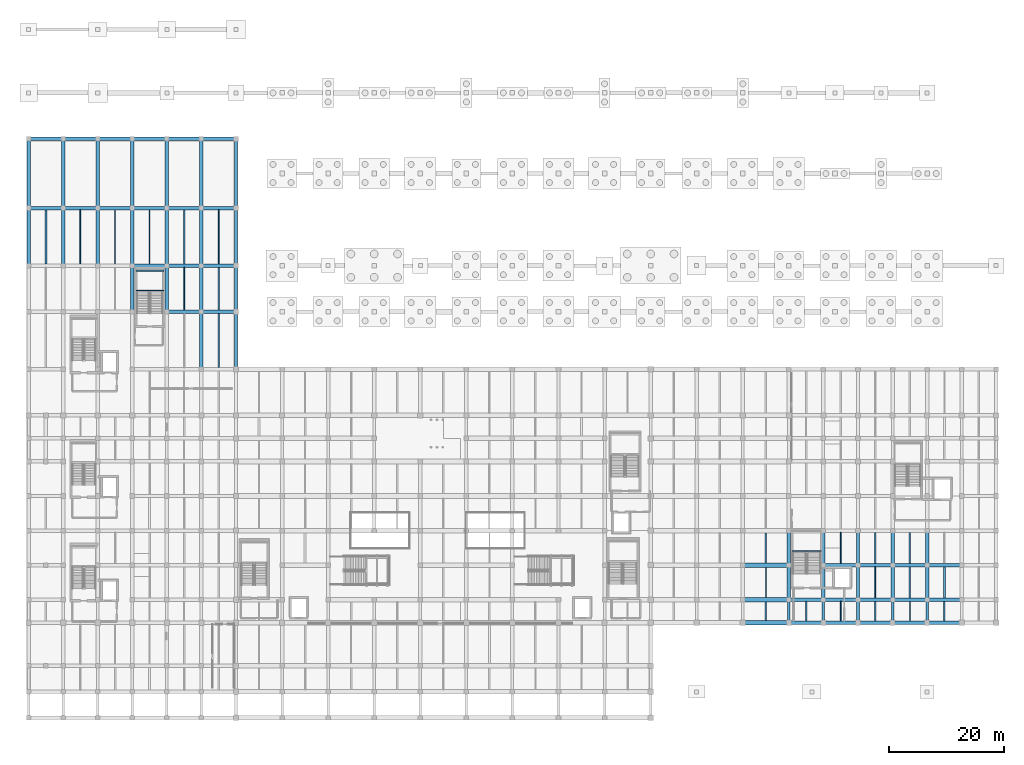
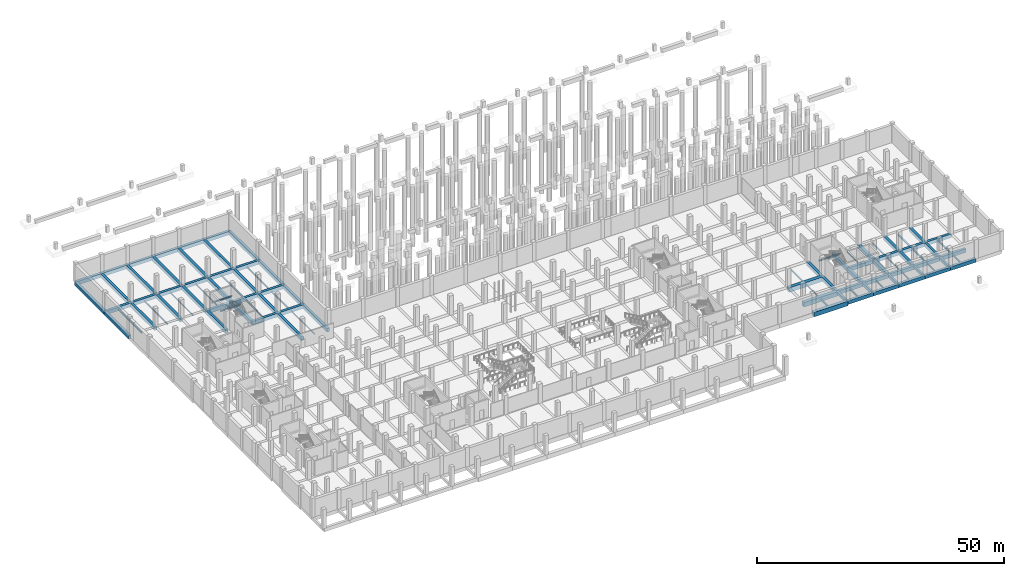
# One storey, part 16 of 36: 95 beams.
"""IFC4 building model written with IfcOpenShell, lengths in metres."""

import ifcopenshell
import ifcopenshell.guid

model = None  # the IFC model being written
_history = None  # IfcOwnerHistory: only IFC2X3 demands one
_inside = {}  # id of a spatial element -> (the spatial element, [elements in it])
_under = {}  # id of a project, library or spatial element -> (it, [spatial elements below it])
_declared = {}  # id of a project -> (the project, [libraries it declares])
_typed = {}  # id of a type object -> (the type object, [elements of that type])
_made_of = {}  # id of a material, layer set ... -> (it, [elements and type objects made of it])


def new_model(schema):
    """Start an empty IFC model of exactly this schema.

    Asked for "IFC4X3", IfcOpenShell would pick the latest addendum, in which some entities
    have other attributes; the version numbers below select the first issue.
    IFC2X3 requires an IfcOwnerHistory on every rooted entity: one is made here for all.
    """
    global model, _history
    if schema == "IFC4X3":
        model = ifcopenshell.file(schema_version=(4, 3, 0, 0))
    else:
        model = ifcopenshell.file(schema=schema)
    _inside.clear()
    _under.clear()
    _declared.clear()
    _typed.clear()
    _made_of.clear()
    _history = None
    if model.schema == "IFC2X3":
        org = make("IfcOrganization", Name="unknown")
        user = make(
            "IfcPersonAndOrganization",
            ThePerson=make("IfcPerson", FamilyName="unknown"),
            TheOrganization=org,
        )
        app = make(
            "IfcApplication",
            ApplicationDeveloper=org,
            Version="unknown",
            ApplicationFullName="unknown",
            ApplicationIdentifier="unknown",
        )
        _history = make(
            "IfcOwnerHistory",
            OwningUser=user,
            OwningApplication=app,
            ChangeAction="ADDED",
            CreationDate=0,
        )
    return model


def make(cls, **values):
    """One entity of the class cls with the attributes given. An attribute that is None is left unset."""
    return model.create_entity(
        cls, **{name: value for name, value in values.items() if value is not None}
    )


def rooted(cls, **values):
    """An entity with a GlobalId (a new one), such as an element, a storey or a relation."""
    return make(cls, GlobalId=ifcopenshell.guid.new(), OwnerHistory=_history, **values)


def si_unit(unit_type, name, prefix=None):
    """IfcSIUnit, for example si_unit("LENGTHUNIT", "METRE", prefix="MILLI")."""
    return make("IfcSIUnit", UnitType=unit_type, Prefix=prefix, Name=name)


def assignment(units):
    """IfcUnitAssignment: the units of a project."""
    return None if units is None else make("IfcUnitAssignment", Units=units)


def point(xyz):
    """IfcCartesianPoint."""
    return None if xyz is None else make("IfcCartesianPoint", Coordinates=xyz)


def direction(xyz):
    """IfcDirection."""
    return None if xyz is None else make("IfcDirection", DirectionRatios=xyz)


def frame(location, z_axis=None, x_axis=None):
    """IfcAxis2Placement3D, a coordinate frame: its origin and axes. An axis left out is left unset."""
    return make(
        "IfcAxis2Placement3D",
        Location=point(location),
        Axis=direction(z_axis),
        RefDirection=direction(x_axis),
    )


def frame_2d(location, x_axis=None):
    """IfcAxis2Placement2D, a coordinate frame in the plane: its origin and x axis."""
    return make(
        "IfcAxis2Placement2D", Location=point(location), RefDirection=direction(x_axis)
    )


def origin():
    """The frame at (0, 0, 0) with its axes left unset."""
    return frame((0.0, 0.0, 0.0))


def origin_2d():
    """The frame at (0, 0) in the plane with its x axis left unset."""
    return frame_2d((0.0, 0.0))


def place(relative_to, where):
    """IfcLocalPlacement: puts the frame where relative to a parent placement (None: the world)."""
    return make(
        "IfcLocalPlacement", PlacementRelTo=relative_to, RelativePlacement=where
    )


def context(
    kind, dimensions, precision=None, world=None, true_north=None, identifier=None
):
    """IfcGeometricRepresentationContext, for example the 3D "Model" context."""
    return make(
        "IfcGeometricRepresentationContext",
        ContextIdentifier=identifier,
        ContextType=kind,
        CoordinateSpaceDimension=dimensions,
        Precision=precision,
        WorldCoordinateSystem=world,
        TrueNorth=true_north,
    )


def subcontext(parent, identifier, kind, view, scale=None):
    """IfcGeometricRepresentationSubContext, for example "Body" below "Model"."""
    return make(
        "IfcGeometricRepresentationSubContext",
        ContextIdentifier=identifier,
        ContextType=kind,
        ParentContext=parent,
        TargetScale=scale,
        TargetView=view,
    )


def project(units=None, contexts=None):
    """IfcProject with its units and contexts."""
    return rooted(
        "IfcProject",
        Name="project",
        RepresentationContexts=contexts,
        UnitsInContext=assignment(units),
    )


def spatial(cls, under=None, at=None, **own):
    """A site, building, storey or space (cls), placed at a placement, below another one or the project."""
    s = rooted(cls, ObjectPlacement=at, **own)
    if under is not None:
        _under.setdefault(under.id(), (under, []))[1].append(s)
    return s


def profile(cls, at=None, kind="AREA", **sizes):
    """A parametric profile (cls). Its sizes go by their IFC names, for example OverallWidth=200.0."""
    return make(cls, ProfileType=kind, Position=at, **sizes)


def rectangle(**sizes):
    """IfcRectangleProfileDef."""
    return profile("IfcRectangleProfileDef", **sizes)


def i_section(**sizes):
    """IfcIShapeProfileDef."""
    return profile("IfcIShapeProfileDef", **sizes)


def extrude(swept, where, along, depth):
    """IfcExtrudedAreaSolid: the profile swept, set in the frame where, extruded along a direction by depth."""
    return make(
        "IfcExtrudedAreaSolid",
        SweptArea=swept,
        Position=where,
        ExtrudedDirection=direction(along),
        Depth=depth,
    )


def shape(context_of_items, identifier, shape_type, items):
    """IfcShapeRepresentation: the items that make up one representation, for example the "Body"."""
    return make(
        "IfcShapeRepresentation",
        ContextOfItems=context_of_items,
        RepresentationIdentifier=identifier,
        RepresentationType=shape_type,
        Items=items,
    )


def material(Name=None, Category=None):
    """IfcMaterial."""
    return make("IfcMaterial", Name=Name, Category=Category)


def material_profile(
    of_material, cross_section, Name=None, Category=None, Priority=None
):
    """IfcMaterialProfile: a cross section and its material."""
    return make(
        "IfcMaterialProfile",
        Name=Name,
        Material=of_material,
        Profile=cross_section,
        Priority=Priority,
        Category=Category,
    )


def profile_set(profiles, Name=None, composite=None):
    """IfcMaterialProfileSet."""
    return make(
        "IfcMaterialProfileSet",
        Name=Name,
        MaterialProfiles=profiles,
        CompositeProfile=composite,
    )


def made_of(thing, what):
    """Note that an element or type object is made of a material, layer set ...; save() writes the relation."""
    if what is not None:
        _made_of.setdefault(what.id(), (what, []))[1].append(thing)
    return thing


def type_object(cls, material=None, **own):
    """A type object (cls), such as IfcWallType, which elements share."""
    return made_of(rooted(cls, **own), material)


def element(
    cls,
    number,
    at=None,
    inside=None,
    cuts=None,
    type_object=None,
    material=None,
    context=None,
    identifier="Body",
    shape_type=None,
    held_by="IfcProductDefinitionShape",
    body=None,
    shapes=None,
    **own,
):
    """One element of the class cls, such as IfcWall. Its Tag is "e" and its number.

    at: its placement. inside: the storey or other place that contains it. cuts: it is an
    opening in that element (IfcRelVoidsElement). A single representation is given by context,
    identifier, shape_type and body (its items); several are given by shapes. held_by: the class
    of the entity that holds the representations. save() writes the other relations.
    """
    e = rooted(cls, Tag="e%d" % number, ObjectPlacement=at, **own)
    if body is not None:
        shapes = [shape(context, identifier, shape_type, body)]
    if shapes is not None:
        e.Representation = make(held_by, Representations=shapes)
    if inside is not None:
        _inside.setdefault(inside.id(), (inside, []))[1].append(e)
    if cuts is not None:
        rooted(
            "IfcRelVoidsElement", RelatingBuildingElement=cuts, RelatedOpeningElement=e
        )
    if type_object is not None:
        _typed.setdefault(type_object.id(), (type_object, []))[1].append(e)
    return made_of(e, material)


def aggregate(whole, parts):
    """IfcRelAggregates: a whole, such as a stair, and the parts it consists of."""
    return rooted("IfcRelAggregates", RelatingObject=whole, RelatedObjects=parts)


def save(model, path):
    """Write the relations noted so far, then the file.

    IfcRelAggregates (storeys below a building ...), IfcRelContainedInSpatialStructure (elements
    in a storey), IfcRelDefinesByType, IfcRelAssociatesMaterial and IfcRelDeclares: one each for
    every whole, place, type object, material and project.
    """
    for whole, parts in _under.values():
        aggregate(whole, parts)
    for where, things in _inside.values():
        rooted(
            "IfcRelContainedInSpatialStructure",
            RelatedElements=things,
            RelatingStructure=where,
        )
    for kind, things in _typed.values():
        rooted("IfcRelDefinesByType", RelatedObjects=things, RelatingType=kind)
    for what, things in _made_of.values():
        rooted("IfcRelAssociatesMaterial", RelatedObjects=things, RelatingMaterial=what)
    for by, libraries in _declared.values():
        rooted("IfcRelDeclares", RelatingContext=by, RelatedDefinitions=libraries)
    model.write(path)


model = new_model("IFC4")

# Units and contexts
model_context = context("Model", 3, precision=1e-05, world=origin(), true_north=direction((0.0, 1.0)))
body_context = subcontext(model_context, "Body", "Model", "MODEL_VIEW")
ifc_project = project(units=[si_unit("LENGTHUNIT", "METRE"), si_unit("AREAUNIT", "SQUARE_METRE"), si_unit("VOLUMEUNIT", "CUBIC_METRE"), si_unit("PLANEANGLEUNIT", "RADIAN"), si_unit("MASSUNIT", "GRAM", prefix="KILO")], contexts=[model_context])

# Site, building, storey
site_placement = place(None, origin())
site = spatial("IfcSite", under=ifc_project, at=site_placement, CompositionType="ELEMENT")
building_placement = place(site_placement, origin())
building = spatial("IfcBuilding", under=site, at=building_placement, Name="Verrall Gate Interchange", CompositionType="ELEMENT")
storey_placement = place(building_placement, frame((0.0, 0.0, -4.800048828125)))
storey = spatial("IfcBuildingStorey", under=building, at=storey_placement, Name="B1", CompositionType="ELEMENT", Elevation=-4.800048828125)

# Beams
ifc_material_1 = material(Name="Concrete CSA A23.1 35 MPa (Class S-2)", Category="concrete")
ifc_material_profile_1 = material_profile(ifc_material_1, rectangle(XDim=0.800048828125, YDim=1.10009765625, at=origin_2d()), Name="RC800x1100")
ifc_profile_set_1 = profile_set([ifc_material_profile_1], Name="Concrete CSA A23.1 35 MPa (Class S-2)")
beam_type_1 = type_object("IfcBeamType", Name="B-01 Structural Beam RC800x1100", PredefinedType="BEAM", material=ifc_profile_set_1)
for number, where, z_axis, x_axis, name in (
    (1, (124.0, 12.0, -0.550048828125), (1.0, 0.0, 0.0), (0.0, 1.0, 0.0), "B1 Girder BM-B1-0064 (B-01)"),
    (2, (124.0, 16.0, -0.550048828125), (1.0, 0.0, 0.0), (0.0, 1.0, 0.0), "B1 Girder BM-B1-0084 (B-01)"),
    (3, (124.0, 22.0, -0.550048828125), (1.0, 0.0, 0.0), (0.0, 1.0, 0.0), "B1 Girder BM-B1-0102 (B-01)"),
):
    element("IfcBeam", number, at=place(storey_placement, frame(where, z_axis=z_axis, x_axis=x_axis)), inside=storey, type_object=beam_type_1, Name=name, PredefinedType="BEAM", context=body_context, shape_type="SweptSolid", body=[
        extrude(rectangle(XDim=0.800048828125, YDim=1.10009765625, at=origin_2d()), origin(), (0.0, 0.0, 1.0), 8.0),
    ])
ifc_material_2 = material(Name="Concrete CSA A23.1 40 MPa (Class N)", Category="concrete")
ifc_material_profile_2 = material_profile(ifc_material_2, rectangle(XDim=0.60009765625, YDim=0.89990234375, at=origin_2d()), Name="RC600x900")
ifc_profile_set_2 = profile_set([ifc_material_profile_2], Name="Concrete CSA A23.1 40 MPa (Class N)")
beam_type_2 = type_object("IfcBeamType", Name="B-02 Structural Beam RC600x900", PredefinedType="BEAM", material=ifc_profile_set_2)
for number, where, z_axis, x_axis, name in (
    (4, (132.0, 12.0, -0.449951171875), (1.0, 0.0, 0.0), (0.0, 1.0, 0.0), "B1 Girder BM-B1-0065 (B-02)"),
    (5, (138.0, 12.0, -0.449951171875), (1.0, 0.0, 0.0), (0.0, 1.0, 0.0), "B1 Girder BM-B1-0066 (B-02)"),
    (6, (144.0, 12.0, -0.449951171875), (1.0, 0.0, 0.0), (0.0, 1.0, 0.0), "B1 Girder BM-B1-0067 (B-02)"),
    (7, (150.0, 12.0, -0.449951171875), (1.0, 0.0, 0.0), (0.0, 1.0, 0.0), "B1 Girder BM-B1-0068 (B-02)"),
    (8, (156.0, 12.0, -0.449951171875), (1.0, 0.0, 0.0), (0.0, 1.0, 0.0), "B1 Girder BM-B1-0069 (B-02)"),
    (9, (132.0, 16.0, -0.449951171875), (1.0, 0.0, 0.0), (0.0, 1.0, 0.0), "B1 Girder BM-B1-0085 (B-02)"),
    (10, (138.0, 16.0, -0.449951171875), (1.0, 0.0, 0.0), (0.0, 1.0, 0.0), "B1 Girder BM-B1-0086 (B-02)"),
    (11, (144.0, 16.0, -0.449951171875), (1.0, 0.0, 0.0), (0.0, 1.0, 0.0), "B1 Girder BM-B1-0087 (B-02)"),
    (12, (150.0, 16.0, -0.449951171875), (1.0, 0.0, 0.0), (0.0, 1.0, 0.0), "B1 Girder BM-B1-0088 (B-02)"),
    (13, (156.0, 16.0, -0.449951171875), (1.0, 0.0, 0.0), (0.0, 1.0, 0.0), "B1 Girder BM-B1-0089 (B-02)"),
    (14, (138.0, 22.0, -0.449951171875), (1.0, 0.0, 0.0), (0.0, 1.0, 0.0), "B1 Girder BM-B1-0103 (B-02)"),
    (15, (144.0, 22.0, -0.449951171875), (1.0, 0.0, 0.0), (0.0, 1.0, 0.0), "B1 Girder BM-B1-0104 (B-02)"),
    (16, (150.0, 22.0, -0.449951171875), (1.0, 0.0, 0.0), (0.0, 1.0, 0.0), "B1 Girder BM-B1-0105 (B-02)"),
    (17, (156.0, 22.0, -0.449951171875), (1.0, 0.0, 0.0), (0.0, 1.0, 0.0), "B1 Girder BM-B1-0106 (B-02)"),
    (18, (24.0, 66.0, -0.449951171875), (1.0, 0.0, 0.0), (0.0, 1.0, 0.0), "B1 Girder BM-B1-0243 (B-02)"),
    (19, (30.0, 66.0, -0.449951171875), (1.0, 0.0, 0.0), (0.0, 1.0, 0.0), "B1 Girder BM-B1-0244 (B-02)"),
    (20, (18.0, 74.0, -0.449951171875), (1.0, 0.0, 0.0), (0.0, 1.0, 0.0), "B1 Girder BM-B1-0248 (B-02)"),
    (21, (24.0, 74.0, -0.449951171875), (1.0, 0.0, 0.0), (0.0, 1.0, 0.0), "B1 Girder BM-B1-0249 (B-02)"),
    (22, (30.0, 74.0, -0.449951171875), (1.0, 0.0, 0.0), (0.0, 1.0, 0.0), "B1 Girder BM-B1-0250 (B-02)"),
    (23, (0.0, 84.0, -0.449951171875), (1.0, 0.0, 0.0), (0.0, 1.0, 0.0), "B1 Girder BM-B1-0251 (B-02)"),
    (24, (6.0, 84.0, -0.449951171875), (1.0, 0.0, 0.0), (0.0, 1.0, 0.0), "B1 Girder BM-B1-0252 (B-02)"),
    (25, (12.0, 84.0, -0.449951171875), (1.0, 0.0, 0.0), (0.0, 1.0, 0.0), "B1 Girder BM-B1-0253 (B-02)"),
    (26, (18.0, 84.0, -0.449951171875), (1.0, 0.0, 0.0), (0.0, 1.0, 0.0), "B1 Girder BM-B1-0254 (B-02)"),
    (27, (24.0, 84.0, -0.449951171875), (1.0, 0.0, 0.0), (0.0, 1.0, 0.0), "B1 Girder BM-B1-0255 (B-02)"),
    (28, (30.0, 84.0, -0.449951171875), (1.0, 0.0, 0.0), (0.0, 1.0, 0.0), "B1 Girder BM-B1-0256 (B-02)"),
    (29, (0.0, 96.0, -0.449951171875), (1.0, 0.0, 0.0), (0.0, 1.0, 0.0), "B1 Girder BM-B1-0257 (B-02)"),
    (30, (6.0, 96.0, -0.449951171875), (1.0, 0.0, 0.0), (0.0, 1.0, 0.0), "B1 Girder BM-B1-0258 (B-02)"),
    (31, (12.0, 96.0, -0.449951171875), (1.0, 0.0, 0.0), (0.0, 1.0, 0.0), "B1 Girder BM-B1-0259 (B-02)"),
    (32, (18.0, 96.0, -0.449951171875), (1.0, 0.0, 0.0), (0.0, 1.0, 0.0), "B1 Girder BM-B1-0260 (B-02)"),
    (33, (24.0, 96.0, -0.449951171875), (1.0, 0.0, 0.0), (0.0, 1.0, 0.0), "B1 Girder BM-B1-0261 (B-02)"),
    (34, (30.0, 96.0, -0.449951171875), (1.0, 0.0, 0.0), (0.0, 1.0, 0.0), "B1 Girder BM-B1-0262 (B-02)"),
):
    element("IfcBeam", number, at=place(storey_placement, frame(where, z_axis=z_axis, x_axis=x_axis)), inside=storey, type_object=beam_type_2, Name=name, PredefinedType="BEAM", context=body_context, shape_type="SweptSolid", body=[
        extrude(rectangle(XDim=0.60009765625, YDim=0.89990234375, at=origin_2d()), origin(), (0.0, 0.0, 1.0), 6.0),
    ])
beam_1_placement = place(storey_placement, frame((0.0, 74.0, -0.449951171875), z_axis=(0.0, 1.0, 0.0), x_axis=(-1.0, 0.0, 0.0)))
element("IfcBeam", 35, at=beam_1_placement, inside=storey, type_object=beam_type_2, Name="B1 Girder BM-B1-0276 (B-02)", PredefinedType="BEAM", context=body_context, shape_type="SweptSolid", body=[
    extrude(rectangle(XDim=0.60009765625, YDim=0.89990234375, at=origin_2d()), origin(), (0.0, 0.0, 1.0), 10.0),
])
beam_2_placement = place(storey_placement, frame((0.0, 84.0, -0.449951171875), z_axis=(0.0, 1.0, 0.0), x_axis=(-1.0, 0.0, 0.0)))
element("IfcBeam", 36, at=beam_2_placement, inside=storey, type_object=beam_type_2, Name="B1 Girder BM-B1-0277 (B-02)", PredefinedType="BEAM", context=body_context, shape_type="SweptSolid", body=[
    extrude(rectangle(XDim=0.60009765625, YDim=0.89990234375, at=origin_2d()), origin(), (0.0, 0.0, 1.0), 12.0),
])
beam_3_placement = place(storey_placement, frame((6.0, 74.0, -0.449951171875), z_axis=(0.0, 1.0, 0.0), x_axis=(-1.0, 0.0, 0.0)))
element("IfcBeam", 37, at=beam_3_placement, inside=storey, type_object=beam_type_2, Name="B1 Girder BM-B1-0292 (B-02)", PredefinedType="BEAM", context=body_context, shape_type="SweptSolid", body=[
    extrude(rectangle(XDim=0.60009765625, YDim=0.89990234375, at=origin_2d()), origin(), (0.0, 0.0, 1.0), 10.0),
])
beam_4_placement = place(storey_placement, frame((6.0, 84.0, -0.449951171875), z_axis=(0.0, 1.0, 0.0), x_axis=(-1.0, 0.0, 0.0)))
element("IfcBeam", 38, at=beam_4_placement, inside=storey, type_object=beam_type_2, Name="B1 Girder BM-B1-0293 (B-02)", PredefinedType="BEAM", context=body_context, shape_type="SweptSolid", body=[
    extrude(rectangle(XDim=0.60009765625, YDim=0.89990234375, at=origin_2d()), origin(), (0.0, 0.0, 1.0), 12.0),
])
beam_5_placement = place(storey_placement, frame((12.0, 74.0, -0.449951171875), z_axis=(0.0, 1.0, 0.0), x_axis=(-1.0, 0.0, 0.0)))
element("IfcBeam", 39, at=beam_5_placement, inside=storey, type_object=beam_type_2, Name="B1 Girder BM-B1-0307 (B-02)", PredefinedType="BEAM", context=body_context, shape_type="SweptSolid", body=[
    extrude(rectangle(XDim=0.60009765625, YDim=0.89990234375, at=origin_2d()), origin(), (0.0, 0.0, 1.0), 10.0),
])
beam_6_placement = place(storey_placement, frame((12.0, 84.0, -0.449951171875), z_axis=(0.0, 1.0, 0.0), x_axis=(-1.0, 0.0, 0.0)))
element("IfcBeam", 40, at=beam_6_placement, inside=storey, type_object=beam_type_2, Name="B1 Girder BM-B1-0308 (B-02)", PredefinedType="BEAM", context=body_context, shape_type="SweptSolid", body=[
    extrude(rectangle(XDim=0.60009765625, YDim=0.89990234375, at=origin_2d()), origin(), (0.0, 0.0, 1.0), 12.0),
])
beam_7_placement = place(storey_placement, frame((18.0, 66.0, -0.449951171875), z_axis=(0.0, 1.0, 0.0), x_axis=(-1.0, 0.0, 0.0)))
element("IfcBeam", 41, at=beam_7_placement, inside=storey, type_object=beam_type_2, Name="B1 Girder BM-B1-0321 (B-02)", PredefinedType="BEAM", context=body_context, shape_type="SweptSolid", body=[
    extrude(rectangle(XDim=0.60009765625, YDim=0.89990234375, at=origin_2d()), origin(), (0.0, 0.0, 1.0), 8.0),
])
beam_8_placement = place(storey_placement, frame((18.0, 74.0, -0.449951171875), z_axis=(0.0, 1.0, 0.0), x_axis=(-1.0, 0.0, 0.0)))
element("IfcBeam", 42, at=beam_8_placement, inside=storey, type_object=beam_type_2, Name="B1 Girder BM-B1-0322 (B-02)", PredefinedType="BEAM", context=body_context, shape_type="SweptSolid", body=[
    extrude(rectangle(XDim=0.60009765625, YDim=0.89990234375, at=origin_2d()), origin(), (0.0, 0.0, 1.0), 10.0),
])
beam_9_placement = place(storey_placement, frame((18.0, 84.0, -0.449951171875), z_axis=(0.0, 1.0, 0.0), x_axis=(-1.0, 0.0, 0.0)))
element("IfcBeam", 43, at=beam_9_placement, inside=storey, type_object=beam_type_2, Name="B1 Girder BM-B1-0323 (B-02)", PredefinedType="BEAM", context=body_context, shape_type="SweptSolid", body=[
    extrude(rectangle(XDim=0.60009765625, YDim=0.89990234375, at=origin_2d()), origin(), (0.0, 0.0, 1.0), 12.0),
])
beam_10_placement = place(storey_placement, frame((24.0, 66.0, -0.449951171875), z_axis=(0.0, 1.0, 0.0), x_axis=(-1.0, 0.0, 0.0)))
element("IfcBeam", 44, at=beam_10_placement, inside=storey, type_object=beam_type_2, Name="B1 Girder BM-B1-0336 (B-02)", PredefinedType="BEAM", context=body_context, shape_type="SweptSolid", body=[
    extrude(rectangle(XDim=0.60009765625, YDim=0.89990234375, at=origin_2d()), origin(), (0.0, 0.0, 1.0), 8.0),
])
beam_11_placement = place(storey_placement, frame((24.0, 74.0, -0.449951171875), z_axis=(0.0, 1.0, 0.0), x_axis=(-1.0, 0.0, 0.0)))
element("IfcBeam", 45, at=beam_11_placement, inside=storey, type_object=beam_type_2, Name="B1 Girder BM-B1-0337 (B-02)", PredefinedType="BEAM", context=body_context, shape_type="SweptSolid", body=[
    extrude(rectangle(XDim=0.60009765625, YDim=0.89990234375, at=origin_2d()), origin(), (0.0, 0.0, 1.0), 10.0),
])
beam_12_placement = place(storey_placement, frame((24.0, 84.0, -0.449951171875), z_axis=(0.0, 1.0, 0.0), x_axis=(-1.0, 0.0, 0.0)))
element("IfcBeam", 46, at=beam_12_placement, inside=storey, type_object=beam_type_2, Name="B1 Girder BM-B1-0338 (B-02)", PredefinedType="BEAM", context=body_context, shape_type="SweptSolid", body=[
    extrude(rectangle(XDim=0.60009765625, YDim=0.89990234375, at=origin_2d()), origin(), (0.0, 0.0, 1.0), 12.0),
])
beam_13_placement = place(storey_placement, frame((30.0, 56.0, -0.449951171875), z_axis=(0.0, 1.0, 0.0), x_axis=(-1.0, 0.0, 0.0)))
element("IfcBeam", 47, at=beam_13_placement, inside=storey, type_object=beam_type_2, Name="B1 Girder BM-B1-0350 (B-02)", PredefinedType="BEAM", context=body_context, shape_type="SweptSolid", body=[
    extrude(rectangle(XDim=0.60009765625, YDim=0.89990234375, at=origin_2d()), origin(), (0.0, 0.0, 1.0), 10.0),
])
beam_14_placement = place(storey_placement, frame((30.0, 66.0, -0.449951171875), z_axis=(0.0, 1.0, 0.0), x_axis=(-1.0, 0.0, 0.0)))
element("IfcBeam", 48, at=beam_14_placement, inside=storey, type_object=beam_type_2, Name="B1 Girder BM-B1-0351 (B-02)", PredefinedType="BEAM", context=body_context, shape_type="SweptSolid", body=[
    extrude(rectangle(XDim=0.60009765625, YDim=0.89990234375, at=origin_2d()), origin(), (0.0, 0.0, 1.0), 8.0),
])
beam_15_placement = place(storey_placement, frame((30.0, 74.0, -0.449951171875), z_axis=(0.0, 1.0, 0.0), x_axis=(-1.0, 0.0, 0.0)))
element("IfcBeam", 49, at=beam_15_placement, inside=storey, type_object=beam_type_2, Name="B1 Girder BM-B1-0352 (B-02)", PredefinedType="BEAM", context=body_context, shape_type="SweptSolid", body=[
    extrude(rectangle(XDim=0.60009765625, YDim=0.89990234375, at=origin_2d()), origin(), (0.0, 0.0, 1.0), 10.0),
])
beam_16_placement = place(storey_placement, frame((30.0, 84.0, -0.449951171875), z_axis=(0.0, 1.0, 0.0), x_axis=(-1.0, 0.0, 0.0)))
element("IfcBeam", 50, at=beam_16_placement, inside=storey, type_object=beam_type_2, Name="B1 Girder BM-B1-0353 (B-02)", PredefinedType="BEAM", context=body_context, shape_type="SweptSolid", body=[
    extrude(rectangle(XDim=0.60009765625, YDim=0.89990234375, at=origin_2d()), origin(), (0.0, 0.0, 1.0), 12.0),
])
beam_17_placement = place(storey_placement, frame((36.0, 56.0, -0.449951171875), z_axis=(0.0, 1.0, 0.0), x_axis=(-1.0, 0.0, 0.0)))
element("IfcBeam", 51, at=beam_17_placement, inside=storey, type_object=beam_type_2, Name="B1 Girder BM-B1-0365 (B-02)", PredefinedType="BEAM", context=body_context, shape_type="SweptSolid", body=[
    extrude(rectangle(XDim=0.60009765625, YDim=0.89990234375, at=origin_2d()), origin(), (0.0, 0.0, 1.0), 10.0),
])
beam_18_placement = place(storey_placement, frame((36.0, 66.0, -0.449951171875), z_axis=(0.0, 1.0, 0.0), x_axis=(-1.0, 0.0, 0.0)))
element("IfcBeam", 52, at=beam_18_placement, inside=storey, type_object=beam_type_2, Name="B1 Girder BM-B1-0366 (B-02)", PredefinedType="BEAM", context=body_context, shape_type="SweptSolid", body=[
    extrude(rectangle(XDim=0.60009765625, YDim=0.89990234375, at=origin_2d()), origin(), (0.0, 0.0, 1.0), 8.0),
])
beam_19_placement = place(storey_placement, frame((36.0, 74.0, -0.449951171875), z_axis=(0.0, 1.0, 0.0), x_axis=(-1.0, 0.0, 0.0)))
element("IfcBeam", 53, at=beam_19_placement, inside=storey, type_object=beam_type_2, Name="B1 Girder BM-B1-0367 (B-02)", PredefinedType="BEAM", context=body_context, shape_type="SweptSolid", body=[
    extrude(rectangle(XDim=0.60009765625, YDim=0.89990234375, at=origin_2d()), origin(), (0.0, 0.0, 1.0), 10.0),
])
beam_20_placement = place(storey_placement, frame((36.0, 84.0, -0.449951171875), z_axis=(0.0, 1.0, 0.0), x_axis=(-1.0, 0.0, 0.0)))
element("IfcBeam", 54, at=beam_20_placement, inside=storey, type_object=beam_type_2, Name="B1 Girder BM-B1-0368 (B-02)", PredefinedType="BEAM", context=body_context, shape_type="SweptSolid", body=[
    extrude(rectangle(XDim=0.60009765625, YDim=0.89990234375, at=origin_2d()), origin(), (0.0, 0.0, 1.0), 12.0),
])
for number, where, z_axis, x_axis, name in (
    (55, (132.0, 16.0, -0.449951171875), (0.0, 1.0, 0.0), (-1.0, 0.0, 0.0), "B1 Girder BM-B1-0479 (B-02)"),
    (56, (132.0, 22.0, -0.449951171875), (0.0, 1.0, 0.0), (-1.0, 0.0, 0.0), "B1 Girder BM-B1-0480 (B-02)"),
    (57, (138.0, 16.0, -0.449951171875), (0.0, 1.0, 0.0), (-1.0, 0.0, 0.0), "B1 Girder BM-B1-0487 (B-02)"),
    (58, (138.0, 22.0, -0.449951171875), (0.0, 1.0, 0.0), (-1.0, 0.0, 0.0), "B1 Girder BM-B1-0488 (B-02)"),
    (59, (144.0, 16.0, -0.449951171875), (0.0, 1.0, 0.0), (-1.0, 0.0, 0.0), "B1 Girder BM-B1-0495 (B-02)"),
    (60, (144.0, 22.0, -0.449951171875), (0.0, 1.0, 0.0), (-1.0, 0.0, 0.0), "B1 Girder BM-B1-0496 (B-02)"),
    (61, (150.0, 16.0, -0.449951171875), (0.0, 1.0, 0.0), (-1.0, 0.0, 0.0), "B1 Girder BM-B1-0503 (B-02)"),
    (62, (150.0, 22.0, -0.449951171875), (0.0, 1.0, 0.0), (-1.0, 0.0, 0.0), "B1 Girder BM-B1-0504 (B-02)"),
    (63, (156.0, 16.0, -0.449951171875), (0.0, 1.0, 0.0), (-1.0, 0.0, 0.0), "B1 Girder BM-B1-0511 (B-02)"),
    (64, (156.0, 22.0, -0.449951171875), (0.0, 1.0, 0.0), (-1.0, 0.0, 0.0), "B1 Girder BM-B1-0512 (B-02)"),
):
    element("IfcBeam", number, at=place(storey_placement, frame(where, z_axis=z_axis, x_axis=x_axis)), inside=storey, type_object=beam_type_2, Name=name, PredefinedType="BEAM", context=body_context, shape_type="SweptSolid", body=[
        extrude(rectangle(XDim=0.60009765625, YDim=0.89990234375, at=origin_2d()), origin(), (0.0, 0.0, 1.0), 6.0),
    ])
ifc_material_3 = material(Name="Concrete CSA A23.1 40 MPa (Class N)", Category="concrete")
ifc_material_profile_3 = material_profile(ifc_material_3, rectangle(XDim=0.449951171875, YDim=0.699951171875, at=origin_2d()), Name="RC450x700")
ifc_profile_set_3 = profile_set([ifc_material_profile_3], Name="Concrete CSA A23.1 40 MPa (Class N)")
beam_type_3 = type_object("IfcBeamType", Name="B-03 Structural Beam RC450x700", PredefinedType="BEAM", material=ifc_profile_set_3)
for number, where, z_axis, x_axis, name in (
    (65, (132.0, 12.0, -0.349853515625), (0.0, 1.0, 0.0), (-1.0, 0.0, 0.0), "B1 Girder BM-B1-0478 (B-03)"),
    (66, (138.0, 12.0, -0.349853515625), (0.0, 1.0, 0.0), (-1.0, 0.0, 0.0), "B1 Girder BM-B1-0486 (B-03)"),
    (67, (144.0, 12.0, -0.349853515625), (0.0, 1.0, 0.0), (-1.0, 0.0, 0.0), "B1 Girder BM-B1-0494 (B-03)"),
    (68, (150.0, 12.0, -0.349853515625), (0.0, 1.0, 0.0), (-1.0, 0.0, 0.0), "B1 Girder BM-B1-0502 (B-03)"),
    (69, (156.0, 12.0, -0.349853515625), (0.0, 1.0, 0.0), (-1.0, 0.0, 0.0), "B1 Girder BM-B1-0510 (B-03)"),
):
    element("IfcBeam", number, at=place(storey_placement, frame(where, z_axis=z_axis, x_axis=x_axis)), inside=storey, type_object=beam_type_3, Name=name, PredefinedType="BEAM", context=body_context, shape_type="SweptSolid", body=[
        extrude(rectangle(XDim=0.449951171875, YDim=0.699951171875, at=origin_2d()), origin(), (0.0, 0.0, 1.0), 4.0),
    ])
ifc_material_4 = material(Name="Structural Steel CSA G40.21 350W", Category="steel")
ifc_material_profile_4 = material_profile(ifc_material_4, i_section(OverallWidth=0.205078125, OverallDepth=0.35400390625, WebThickness=0.009521484375, FlangeThickness=0.016845703125, FilletRadius=0.012939453125, at=origin_2d()), Name="W360x79")
ifc_profile_set_4 = profile_set([ifc_material_profile_4], Name="Structural Steel CSA G40.21 350W")
beam_type_4 = type_object("IfcBeamType", Name="B-14 Structural Beam W360x79", PredefinedType="BEAM", material=ifc_profile_set_4)
for number, where, z_axis, x_axis, name in (
    (70, (18.6298828125, 69.669921875, 2.030029296875), (1.0, 0.0, 0.0), (0.0, 1.0, 0.0), "B1 Core C4 Mid-Landing Beam 1"),
    (71, (18.6298828125, 73.1201171875, 2.030029296875), (1.0, 0.0, 0.0), (0.0, 1.0, 0.0), "B1 Core C4 Mid-Landing Beam 2"),
):
    element("IfcBeam", number, at=place(storey_placement, frame(where, z_axis=z_axis, x_axis=x_axis)), inside=storey, type_object=beam_type_4, Name=name, PredefinedType="BEAM", context=body_context, shape_type="SweptSolid", body=[
        extrude(i_section(OverallWidth=0.205078125, OverallDepth=0.35400390625, WebThickness=0.009521484375, FlangeThickness=0.016845703125, FilletRadius=0.012939453125, at=origin_2d()), origin(), (0.0, 0.0, 1.0), 4.840087890625),
    ])
beam_21_placement = place(storey_placement, frame((132.5400390625, 24.449951171875, 2.030029296875), z_axis=(1.0, 0.0, 0.0), x_axis=(0.0, 1.0, 0.0)))
element("IfcBeam", 72, at=beam_21_placement, inside=storey, type_object=beam_type_4, Name="B1 Core C8 Mid-Landing Beam 1", PredefinedType="BEAM", context=body_context, shape_type="SweptSolid", body=[
    extrude(i_section(OverallWidth=0.205078125, OverallDepth=0.35400390625, WebThickness=0.009521484375, FlangeThickness=0.016845703125, FilletRadius=0.012939453125, at=origin_2d()), origin(), (0.0, 0.0, 1.0), 5.139892578125),
])
ifc_material_5 = material(Name="Structural Steel CSA G40.21 350W", Category="steel")
ifc_material_profile_5 = material_profile(ifc_material_5, i_section(OverallWidth=0.172119140625, OverallDepth=0.35791015625, WebThickness=0.0078125, FlangeThickness=0.01318359375, FilletRadius=0.010986328125, at=origin_2d()), Name="W360x57")
ifc_profile_set_5 = profile_set([ifc_material_profile_5], Name="Structural Steel CSA G40.21 350W")
beam_type_5 = type_object("IfcBeamType", Name="J-01 Floor Joist W360x57", PredefinedType="JOIST", material=ifc_profile_set_5)
beam_22_placement = place(storey_placement, frame((141.0, 12.300048828125, -0.62890625), z_axis=(0.0, 1.0, 0.0), x_axis=(-1.0, 0.0, 0.0)))
element("IfcBeam", 73, at=beam_22_placement, inside=storey, type_object=beam_type_5, Name="B1 Secondary Floor Joist JST-B1-0577", PredefinedType="JOIST", context=body_context, shape_type="SweptSolid", body=[
    extrude(i_section(OverallWidth=0.172119140625, OverallDepth=0.35791015625, WebThickness=0.0078125, FlangeThickness=0.01318359375, FilletRadius=0.010986328125, at=origin_2d()), origin(), (0.0, 0.0, 1.0), 3.39990234375),
])
beam_23_placement = place(storey_placement, frame((9.0, 74.300048828125, -0.62890625), z_axis=(0.0, 1.0, 0.0), x_axis=(-1.0, 0.0, 0.0)))
element("IfcBeam", 74, at=beam_23_placement, inside=storey, type_object=beam_type_5, Name="B1 Secondary Floor Joist JST-B1-0713", PredefinedType="JOIST", context=body_context, shape_type="SweptSolid", body=[
    extrude(i_section(OverallWidth=0.172119140625, OverallDepth=0.35791015625, WebThickness=0.0078125, FlangeThickness=0.01318359375, FilletRadius=0.010986328125, at=origin_2d()), origin(), (0.0, 0.0, 1.0), 9.39990234375),
])
ifc_material_6 = material(Name="Structural Steel CSA G40.21 350W", Category="steel")
ifc_material_profile_6 = material_profile(ifc_material_6, i_section(OverallWidth=0.306884765625, OverallDepth=0.31396484375, WebThickness=0.011962890625, FlangeThickness=0.018798828125, FilletRadius=0.013916015625, at=origin_2d()), Name="W310x118")
ifc_profile_set_6 = profile_set([ifc_material_profile_6], Name="Structural Steel CSA G40.21 350W")
beam_type_6 = type_object("IfcBeamType", Name="J-02 Floor Joist W310x118", PredefinedType="JOIST", material=ifc_profile_set_6)
beam_24_placement = place(storey_placement, frame((128.0, 12.39990234375, -0.60693359375), z_axis=(0.0, 1.0, 0.0), x_axis=(-1.0, 0.0, 0.0)))
element("IfcBeam", 75, at=beam_24_placement, inside=storey, type_object=beam_type_6, Name="B1 Secondary Floor Joist JST-B1-0575", PredefinedType="JOIST", context=body_context, shape_type="SweptSolid", body=[
    extrude(i_section(OverallWidth=0.306884765625, OverallDepth=0.31396484375, WebThickness=0.011962890625, FlangeThickness=0.018798828125, FilletRadius=0.013916015625, at=origin_2d()), origin(), (0.0, 0.0, 1.0), 3.2001953125),
])
beam_25_placement = place(storey_placement, frame((135.0, 12.300048828125, -0.60693359375), z_axis=(0.0, 1.0, 0.0), x_axis=(-1.0, 0.0, 0.0)))
element("IfcBeam", 76, at=beam_25_placement, inside=storey, type_object=beam_type_6, Name="B1 Secondary Floor Joist JST-B1-0576", PredefinedType="JOIST", context=body_context, shape_type="SweptSolid", body=[
    extrude(i_section(OverallWidth=0.306884765625, OverallDepth=0.31396484375, WebThickness=0.011962890625, FlangeThickness=0.018798828125, FilletRadius=0.013916015625, at=origin_2d()), origin(), (0.0, 0.0, 1.0), 3.39990234375),
])
for number, where, z_axis, x_axis, name in (
    (77, (159.0, 16.300048828125, -0.60693359375), (0.0, 1.0, 0.0), (-1.0, 0.0, 0.0), "B1 Secondary Floor Joist JST-B1-0592"),
    (78, (153.0, 22.300048828125, -0.60693359375), (0.0, 1.0, 0.0), (-1.0, 0.0, 0.0), "B1 Secondary Floor Joist JST-B1-0606"),
):
    element("IfcBeam", number, at=place(storey_placement, frame(where, z_axis=z_axis, x_axis=x_axis)), inside=storey, type_object=beam_type_6, Name=name, PredefinedType="JOIST", context=body_context, shape_type="SweptSolid", body=[
        extrude(i_section(OverallWidth=0.306884765625, OverallDepth=0.31396484375, WebThickness=0.011962890625, FlangeThickness=0.018798828125, FilletRadius=0.013916015625, at=origin_2d()), origin(), (0.0, 0.0, 1.0), 5.39990234375),
    ])
beam_26_placement = place(storey_placement, frame((3.0, 74.300048828125, -0.60693359375), z_axis=(0.0, 1.0, 0.0), x_axis=(-1.0, 0.0, 0.0)))
element("IfcBeam", 79, at=beam_26_placement, inside=storey, type_object=beam_type_6, Name="B1 Secondary Floor Joist JST-B1-0712", PredefinedType="JOIST", context=body_context, shape_type="SweptSolid", body=[
    extrude(i_section(OverallWidth=0.306884765625, OverallDepth=0.31396484375, WebThickness=0.011962890625, FlangeThickness=0.018798828125, FilletRadius=0.013916015625, at=origin_2d()), origin(), (0.0, 0.0, 1.0), 9.39990234375),
])
ifc_material_7 = material(Name="Structural Steel CSA G40.21 350W", Category="steel")
ifc_material_profile_7 = material_profile(ifc_material_7, i_section(OverallWidth=0.25390625, OverallDepth=0.305908203125, WebThickness=0.0087890625, FlangeThickness=0.0146484375, FilletRadius=0.012939453125, at=origin_2d()), Name="W310x79")
ifc_profile_set_7 = profile_set([ifc_material_profile_7], Name="Structural Steel CSA G40.21 350W")
beam_type_7 = type_object("IfcBeamType", Name="J-03 Floor Joist W310x79", PredefinedType="JOIST", material=ifc_profile_set_7)
for number, where, z_axis, x_axis, name in (
    (80, (153.0, 16.300048828125, -0.60302734375), (0.0, 1.0, 0.0), (-1.0, 0.0, 0.0), "B1 Secondary Floor Joist JST-B1-0591"),
    (81, (147.0, 22.300048828125, -0.60302734375), (0.0, 1.0, 0.0), (-1.0, 0.0, 0.0), "B1 Secondary Floor Joist JST-B1-0605"),
):
    element("IfcBeam", number, at=place(storey_placement, frame(where, z_axis=z_axis, x_axis=x_axis)), inside=storey, type_object=beam_type_7, Name=name, PredefinedType="JOIST", context=body_context, shape_type="SweptSolid", body=[
        extrude(i_section(OverallWidth=0.25390625, OverallDepth=0.305908203125, WebThickness=0.0087890625, FlangeThickness=0.0146484375, FilletRadius=0.012939453125, at=origin_2d()), origin(), (0.0, 0.0, 1.0), 5.39990234375),
    ])
beam_27_placement = place(storey_placement, frame((33.0, 66.300048828125, -0.60302734375), z_axis=(0.0, 1.0, 0.0), x_axis=(-1.0, 0.0, 0.0)))
element("IfcBeam", 82, at=beam_27_placement, inside=storey, type_object=beam_type_7, Name="B1 Secondary Floor Joist JST-B1-0711", PredefinedType="JOIST", context=body_context, shape_type="SweptSolid", body=[
    extrude(i_section(OverallWidth=0.25390625, OverallDepth=0.305908203125, WebThickness=0.0087890625, FlangeThickness=0.0146484375, FilletRadius=0.012939453125, at=origin_2d()), origin(), (0.0, 0.0, 1.0), 7.39990234375),
])
ifc_material_8 = material(Name="Structural Steel CSA G40.21 350W", Category="steel")
ifc_material_profile_8 = material_profile(ifc_material_8, i_section(OverallWidth=0.1650390625, OverallDepth=0.31005859375, WebThickness=0.005859375, FlangeThickness=0.009765625, FilletRadius=0.010009765625, at=origin_2d()), Name="W310x39")
ifc_profile_set_8 = profile_set([ifc_material_profile_8], Name="Structural Steel CSA G40.21 350W")
beam_type_8 = type_object("IfcBeamType", Name="J-04 Floor Joist W310x39", PredefinedType="JOIST", material=ifc_profile_set_8)
for number, where, z_axis, x_axis, name in (
    (83, (147.0, 16.300048828125, -0.60498046875), (0.0, 1.0, 0.0), (-1.0, 0.0, 0.0), "B1 Secondary Floor Joist JST-B1-0590"),
    (84, (141.0, 22.300048828125, -0.60498046875), (0.0, 1.0, 0.0), (-1.0, 0.0, 0.0), "B1 Secondary Floor Joist JST-B1-0604"),
):
    element("IfcBeam", number, at=place(storey_placement, frame(where, z_axis=z_axis, x_axis=x_axis)), inside=storey, type_object=beam_type_8, Name=name, PredefinedType="JOIST", context=body_context, shape_type="SweptSolid", body=[
        extrude(i_section(OverallWidth=0.1650390625, OverallDepth=0.31005859375, WebThickness=0.005859375, FlangeThickness=0.009765625, FilletRadius=0.010009765625, at=origin_2d()), origin(), (0.0, 0.0, 1.0), 5.39990234375),
    ])
beam_28_placement = place(storey_placement, frame((27.0, 66.300048828125, -0.60498046875), z_axis=(0.0, 1.0, 0.0), x_axis=(-1.0, 0.0, 0.0)))
element("IfcBeam", 85, at=beam_28_placement, inside=storey, type_object=beam_type_8, Name="B1 Secondary Floor Joist JST-B1-0710", PredefinedType="JOIST", context=body_context, shape_type="SweptSolid", body=[
    extrude(i_section(OverallWidth=0.1650390625, OverallDepth=0.31005859375, WebThickness=0.005859375, FlangeThickness=0.009765625, FilletRadius=0.010009765625, at=origin_2d()), origin(), (0.0, 0.0, 1.0), 7.39990234375),
])
beam_29_placement = place(storey_placement, frame((33.0, 74.300048828125, -0.60498046875), z_axis=(0.0, 1.0, 0.0), x_axis=(-1.0, 0.0, 0.0)))
element("IfcBeam", 86, at=beam_29_placement, inside=storey, type_object=beam_type_8, Name="B1 Secondary Floor Joist JST-B1-0717", PredefinedType="JOIST", context=body_context, shape_type="SweptSolid", body=[
    extrude(i_section(OverallWidth=0.1650390625, OverallDepth=0.31005859375, WebThickness=0.005859375, FlangeThickness=0.009765625, FilletRadius=0.010009765625, at=origin_2d()), origin(), (0.0, 0.0, 1.0), 9.39990234375),
])
ifc_material_9 = material(Name="Structural Steel CSA G40.21 350W", Category="steel")
ifc_material_profile_9 = material_profile(ifc_material_9, i_section(OverallWidth=0.25390625, OverallDepth=0.2529296875, WebThickness=0.008544921875, FlangeThickness=0.01416015625, FilletRadius=0.011962890625, at=origin_2d()), Name="W250x73")
ifc_profile_set_9 = profile_set([ifc_material_profile_9], Name="Structural Steel CSA G40.21 350W")
beam_type_9 = type_object("IfcBeamType", Name="J-05 Floor Joist W250x73", PredefinedType="JOIST", material=ifc_profile_set_9)
beam_30_placement = place(storey_placement, frame((159.0, 12.300048828125, -0.576416015625), z_axis=(0.0, 1.0, 0.0), x_axis=(-1.0, 0.0, 0.0)))
element("IfcBeam", 87, at=beam_30_placement, inside=storey, type_object=beam_type_9, Name="B1 Secondary Floor Joist JST-B1-0580", PredefinedType="JOIST", context=body_context, shape_type="SweptSolid", body=[
    extrude(i_section(OverallWidth=0.25390625, OverallDepth=0.2529296875, WebThickness=0.008544921875, FlangeThickness=0.01416015625, FilletRadius=0.011962890625, at=origin_2d()), origin(), (0.0, 0.0, 1.0), 3.39990234375),
])
beam_31_placement = place(storey_placement, frame((128.0, 22.39990234375, -0.576416015625), z_axis=(0.0, 1.0, 0.0), x_axis=(-1.0, 0.0, 0.0)))
element("IfcBeam", 88, at=beam_31_placement, inside=storey, type_object=beam_type_9, Name="B1 Secondary Floor Joist JST-B1-0603", PredefinedType="JOIST", context=body_context, shape_type="SweptSolid", body=[
    extrude(i_section(OverallWidth=0.25390625, OverallDepth=0.2529296875, WebThickness=0.008544921875, FlangeThickness=0.01416015625, FilletRadius=0.011962890625, at=origin_2d()), origin(), (0.0, 0.0, 1.0), 5.2001953125),
])
beam_32_placement = place(storey_placement, frame((27.0, 74.300048828125, -0.576416015625), z_axis=(0.0, 1.0, 0.0), x_axis=(-1.0, 0.0, 0.0)))
element("IfcBeam", 89, at=beam_32_placement, inside=storey, type_object=beam_type_9, Name="B1 Secondary Floor Joist JST-B1-0716", PredefinedType="JOIST", context=body_context, shape_type="SweptSolid", body=[
    extrude(i_section(OverallWidth=0.25390625, OverallDepth=0.2529296875, WebThickness=0.008544921875, FlangeThickness=0.01416015625, FilletRadius=0.011962890625, at=origin_2d()), origin(), (0.0, 0.0, 1.0), 9.39990234375),
])
ifc_material_10 = material(Name="Structural Steel CSA G40.21 350W", Category="steel")
ifc_material_profile_10 = material_profile(ifc_material_10, i_section(OverallWidth=0.201904296875, OverallDepth=0.2470703125, WebThickness=0.00732421875, FlangeThickness=0.010986328125, FilletRadius=0.010986328125, at=origin_2d()), Name="W250x49")
ifc_profile_set_10 = profile_set([ifc_material_profile_10], Name="Structural Steel CSA G40.21 350W")
beam_type_10 = type_object("IfcBeamType", Name="J-06 Floor Joist W250x49", PredefinedType="JOIST", material=ifc_profile_set_10)
beam_33_placement = place(storey_placement, frame((153.0, 12.300048828125, -0.573486328125), z_axis=(0.0, 1.0, 0.0), x_axis=(-1.0, 0.0, 0.0)))
element("IfcBeam", 90, at=beam_33_placement, inside=storey, type_object=beam_type_10, Name="B1 Secondary Floor Joist JST-B1-0579", PredefinedType="JOIST", context=body_context, shape_type="SweptSolid", body=[
    extrude(i_section(OverallWidth=0.201904296875, OverallDepth=0.2470703125, WebThickness=0.00732421875, FlangeThickness=0.010986328125, FilletRadius=0.010986328125, at=origin_2d()), origin(), (0.0, 0.0, 1.0), 3.39990234375),
])
beam_34_placement = place(storey_placement, frame((128.0, 16.39990234375, -0.573486328125), z_axis=(0.0, 1.0, 0.0), x_axis=(-1.0, 0.0, 0.0)))
element("IfcBeam", 91, at=beam_34_placement, inside=storey, type_object=beam_type_10, Name="B1 Secondary Floor Joist JST-B1-0589", PredefinedType="JOIST", context=body_context, shape_type="SweptSolid", body=[
    extrude(i_section(OverallWidth=0.201904296875, OverallDepth=0.2470703125, WebThickness=0.00732421875, FlangeThickness=0.010986328125, FilletRadius=0.010986328125, at=origin_2d()), origin(), (0.0, 0.0, 1.0), 5.2001953125),
])
beam_35_placement = place(storey_placement, frame((21.0, 74.300048828125, -0.573486328125), z_axis=(0.0, 1.0, 0.0), x_axis=(-1.0, 0.0, 0.0)))
element("IfcBeam", 92, at=beam_35_placement, inside=storey, type_object=beam_type_10, Name="B1 Secondary Floor Joist JST-B1-0715", PredefinedType="JOIST", context=body_context, shape_type="SweptSolid", body=[
    extrude(i_section(OverallWidth=0.201904296875, OverallDepth=0.2470703125, WebThickness=0.00732421875, FlangeThickness=0.010986328125, FilletRadius=0.010986328125, at=origin_2d()), origin(), (0.0, 0.0, 1.0), 9.39990234375),
])
ifc_material_11 = material(Name="Structural Steel CSA G40.21 350W", Category="steel")
ifc_material_profile_11 = material_profile(ifc_material_11, i_section(OverallWidth=0.202880859375, OverallDepth=0.202880859375, WebThickness=0.007080078125, FlangeThickness=0.010986328125, FilletRadius=0.010009765625, at=origin_2d()), Name="W200x46")
ifc_profile_set_11 = profile_set([ifc_material_profile_11], Name="Structural Steel CSA G40.21 350W")
beam_type_11 = type_object("IfcBeamType", Name="J-07 Floor Joist W200x46", PredefinedType="JOIST", material=ifc_profile_set_11)
beam_36_placement = place(storey_placement, frame((147.0, 12.300048828125, -0.551513671875), z_axis=(0.0, 1.0, 0.0), x_axis=(-1.0, 0.0, 0.0)))
element("IfcBeam", 93, at=beam_36_placement, inside=storey, type_object=beam_type_11, Name="B1 Secondary Floor Joist JST-B1-0578", PredefinedType="JOIST", context=body_context, shape_type="SweptSolid", body=[
    extrude(i_section(OverallWidth=0.202880859375, OverallDepth=0.202880859375, WebThickness=0.007080078125, FlangeThickness=0.010986328125, FilletRadius=0.010009765625, at=origin_2d()), origin(), (0.0, 0.0, 1.0), 3.39990234375),
])
for number, where, z_axis, x_axis, name in (
    (94, (33.0, 56.300048828125, -0.551513671875), (0.0, 1.0, 0.0), (-1.0, 0.0, 0.0), "B1 Secondary Floor Joist JST-B1-0706"),
    (95, (15.0, 74.300048828125, -0.551513671875), (0.0, 1.0, 0.0), (-1.0, 0.0, 0.0), "B1 Secondary Floor Joist JST-B1-0714"),
):
    element("IfcBeam", number, at=place(storey_placement, frame(where, z_axis=z_axis, x_axis=x_axis)), inside=storey, type_object=beam_type_11, Name=name, PredefinedType="JOIST", context=body_context, shape_type="SweptSolid", body=[
        extrude(i_section(OverallWidth=0.202880859375, OverallDepth=0.202880859375, WebThickness=0.007080078125, FlangeThickness=0.010986328125, FilletRadius=0.010009765625, at=origin_2d()), origin(), (0.0, 0.0, 1.0), 9.39990234375),
    ])

save(model, "model.ifc")
